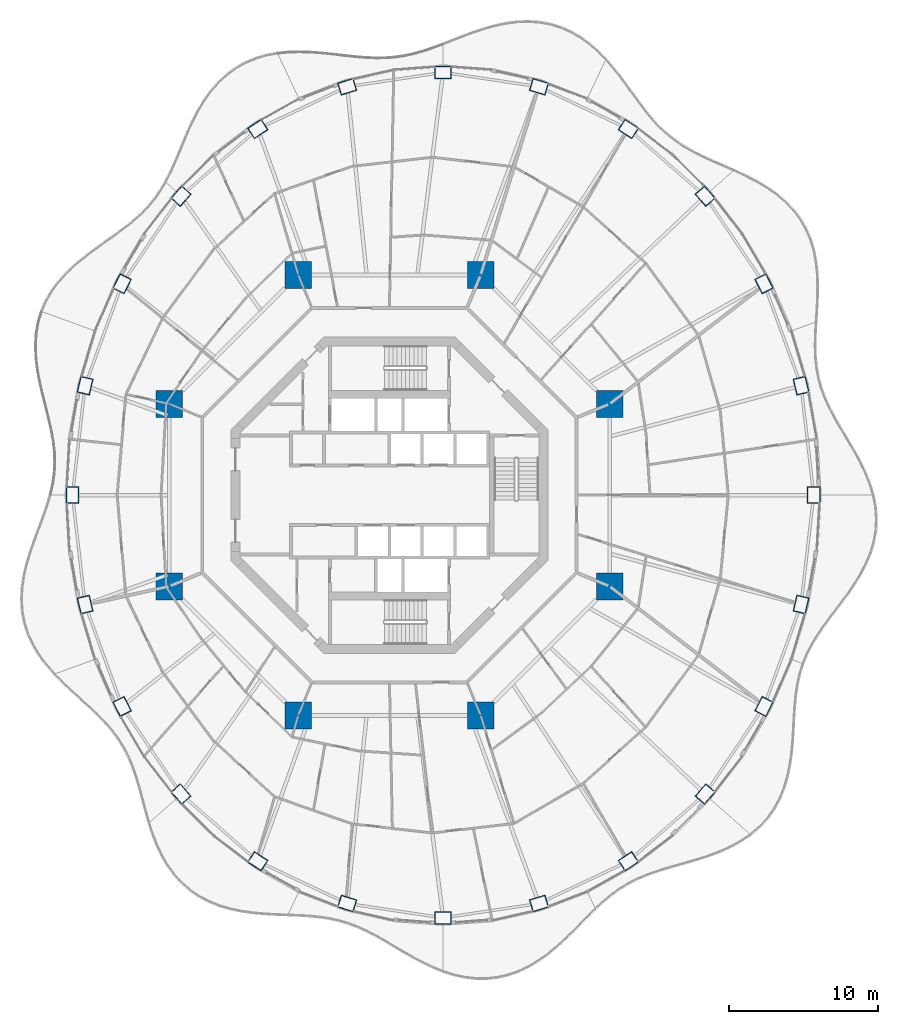
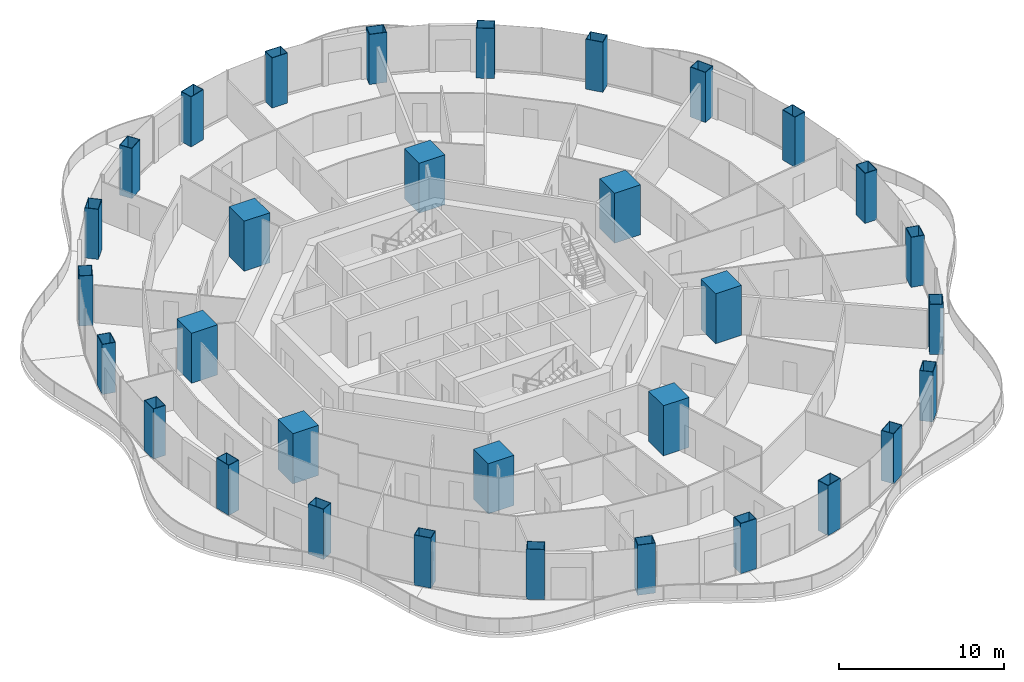
# One storey, part 1 of 19: 32 columns.
"""IFC4 building model written with IfcOpenShell, lengths in metres."""

from ifc_helpers import new_model, si_unit, direction, frame, origin, origin_2d, place, context, subcontext, project, spatial, rectangle, hollow_rectangle, extrude, material, material_profile, profile_set, type_object, element, save


model = new_model("IFC4")

# Units and contexts
model_context = context("Model", 3, precision=1e-05, world=origin(), true_north=direction((0.0, 1.0)))
body_context = subcontext(model_context, "Body", "Model", "MODEL_VIEW")
ifc_project = project(units=[si_unit("LENGTHUNIT", "METRE"), si_unit("AREAUNIT", "SQUARE_METRE"), si_unit("VOLUMEUNIT", "CUBIC_METRE"), si_unit("PLANEANGLEUNIT", "RADIAN"), si_unit("MASSUNIT", "GRAM", prefix="KILO")], contexts=[model_context])

# Site, building, storey
site_placement = place(None, origin())
site = spatial("IfcSite", under=ifc_project, at=site_placement, CompositionType="ELEMENT")
building_placement = place(site_placement, origin())
building = spatial("IfcBuilding", under=site, at=building_placement, Name="Nagisa Residences", CompositionType="ELEMENT")
storey_placement = place(building_placement, frame((0.0, 0.0, 180.699951171875)))
storey = spatial("IfcBuildingStorey", under=building, at=storey_placement, Name="L45", CompositionType="ELEMENT", Elevation=180.699951171875)

# Columns
ifc_material_1 = material(Name="Concrete C80", Category="concrete")
ifc_material_profile_1 = material_profile(ifc_material_1, rectangle(XDim=1.800048828125, YDim=1.800048828125, at=origin_2d()), Name="C80 1800x1800")
ifc_profile_set_1 = profile_set([ifc_material_profile_1], Name="Concrete C80")
column_type_1 = type_object("IfcColumnType", Name="Inner megacolumn C80 1800x1800", PredefinedType="COLUMN", material=ifc_profile_set_1)
for number, where, z_axis, x_axis, name in (
    (1, (14.781982421875, 6.123046875, 0.0), (0.0, 0.0, 1.0), (1.0, 0.0, 0.0), "col:L45:i1"),
    (2, (6.123046875, 14.781982421875, 0.0), (0.0, 0.0, 1.0), (1.0, 0.0, 0.0), "col:L45:i2"),
    (3, (-6.123046875, 14.781982421875, 0.0), (0.0, 0.0, 1.0), (1.0, 0.0, 0.0), "col:L45:i3"),
    (4, (-14.781982421875, 6.123046875, 0.0), (0.0, 0.0, 1.0), (1.0, 0.0, 0.0), "col:L45:i4"),
    (5, (-14.781982421875, -6.123046875, 0.0), (0.0, 0.0, 1.0), (1.0, 0.0, 0.0), "col:L45:i5"),
    (6, (-6.123046875, -14.781982421875, 0.0), (0.0, 0.0, 1.0), (1.0, 0.0, 0.0), "col:L45:i6"),
    (7, (6.123046875, -14.781982421875, 0.0), (0.0, 0.0, 1.0), (1.0, 0.0, 0.0), "col:L45:i7"),
    (8, (14.781982421875, -6.123046875, 0.0), (0.0, 0.0, 1.0), (1.0, 0.0, 0.0), "col:L45:i8"),
):
    element("IfcColumn", number, at=place(storey_placement, frame(where, z_axis=z_axis, x_axis=x_axis)), inside=storey, type_object=column_type_1, Name=name, PredefinedType="COLUMN", context=body_context, shape_type="SweptSolid", body=[
        extrude(rectangle(XDim=1.800048828125, YDim=1.800048828125, at=origin_2d()), origin(), (0.0, 0.0, 1.0), 3.699951171875),
    ])
ifc_material_2 = material(Name="Steel ASTM A572 Gr 50", Category="steel")
ifc_material_profile_2 = material_profile(ifc_material_2, hollow_rectangle(XDim=1.10009765625, YDim=0.85009765625, WallThickness=0.035888671875, at=origin_2d()), Name="BX 1100x850x36")
ifc_profile_set_2 = profile_set([ifc_material_profile_2], Name="Steel ASTM A572 Gr 50")
column_type_2 = type_object("IfcColumnType", Name="Perimeter column BX 1100x850x36", PredefinedType="COLUMN", material=ifc_profile_set_2)
for number, where, z_axis, x_axis, name in (
    (9, (28.47509765625, 0.0, 0.0), (0.0, 0.0, 1.0), (0.0, 1.0, 0.0), "col:L45:p00"),
    (10, (27.62744140625, 7.343994140625, 0.0), (0.0, 0.0, 1.0), (-0.229202013103, 0.973378876486, 0.0), "col:L45:p01"),
    (11, (25.142333984375, 14.1875, 0.0), (0.0, 0.0, 1.0), (-0.452462697578, 0.891783329795, 0.0), "col:L45:p02"),
    (12, (21.189208984375, 20.064208984375, 0.0), (0.0, 0.0, 1.0), (-0.660114607735, 0.751164898445, 0.0), "col:L45:p03"),
    (13, (16.03759765625, 24.573486328125, 0.0), (0.0, 0.0, 1.0), (-0.835766105673, 0.54908561865, 0.0), "col:L45:p04"),
    (14, (10.0380859375, 27.408203125, 0.0), (0.0, 0.0, 1.0), (-0.956524583408, 0.291651712384, 0.0), "col:L45:p05"),
    (15, (3.60009765625, 28.375, 0.0), (0.0, 0.0, 1.0), (-1.0, 0.0, 0.0), "col:L45:p06"),
    (16, (-2.838134765625, 27.408203125, 0.0), (0.0, 0.0, 1.0), (-0.956524583408, -0.291651712384, 0.0), "col:L45:p07"),
    (17, (-8.83740234375, 24.573486328125, 0.0), (0.0, 0.0, 1.0), (-0.835766105673, -0.54908561865, 0.0), "col:L45:p08"),
    (18, (-13.9892578125, 20.064208984375, 0.0), (0.0, 0.0, 1.0), (-0.660114607735, -0.751164898445, 0.0), "col:L45:p09"),
    (19, (-17.9423828125, 14.1875, 0.0), (0.0, 0.0, 1.0), (-0.452462697578, -0.891783329795, 0.0), "col:L45:p10"),
    (20, (-20.427490234375, 7.343994140625, 0.0), (0.0, 0.0, 1.0), (-0.229202013103, -0.973378876486, 0.0), "col:L45:p11"),
    (21, (-21.27490234375, 0.0, 0.0), (0.0, 0.0, 1.0), (0.0, -1.0, 0.0), "col:L45:p12"),
    (22, (-20.427490234375, -7.343994140625, 0.0), (0.0, 0.0, 1.0), (0.229202013103, -0.973378876486, 0.0), "col:L45:p13"),
    (23, (-17.9423828125, -14.1875, 0.0), (0.0, 0.0, 1.0), (0.452462697578, -0.891783329795, 0.0), "col:L45:p14"),
    (24, (-13.9892578125, -20.064208984375, 0.0), (0.0, 0.0, 1.0), (0.660114607735, -0.751164898445, 0.0), "col:L45:p15"),
    (25, (-8.83740234375, -24.573486328125, 0.0), (0.0, 0.0, 1.0), (0.835766105673, -0.54908561865, 0.0), "col:L45:p16"),
    (26, (-2.838134765625, -27.408203125, 0.0), (0.0, 0.0, 1.0), (0.956524583408, -0.291651712384, 0.0), "col:L45:p17"),
    (27, (3.60009765625, -28.375, 0.0), (0.0, 0.0, 1.0), (1.0, 0.0, 0.0), "col:L45:p18"),
    (28, (10.0380859375, -27.408203125, 0.0), (0.0, 0.0, 1.0), (0.956524583408, 0.291651712384, 0.0), "col:L45:p19"),
    (29, (16.03759765625, -24.573486328125, 0.0), (0.0, 0.0, 1.0), (0.835766105673, 0.54908561865, 0.0), "col:L45:p20"),
    (30, (21.189208984375, -20.064208984375, 0.0), (0.0, 0.0, 1.0), (0.660114607735, 0.751164898445, 0.0), "col:L45:p21"),
    (31, (25.142333984375, -14.1875, 0.0), (0.0, 0.0, 1.0), (0.452462697578, 0.891783329795, 0.0), "col:L45:p22"),
    (32, (27.62744140625, -7.343994140625, 0.0), (0.0, 0.0, 1.0), (0.229202013103, 0.973378876486, 0.0), "col:L45:p23"),
):
    element("IfcColumn", number, at=place(storey_placement, frame(where, z_axis=z_axis, x_axis=x_axis)), inside=storey, type_object=column_type_2, Name=name, PredefinedType="COLUMN", context=body_context, shape_type="SweptSolid", body=[
        extrude(hollow_rectangle(XDim=1.10009765625, YDim=0.85009765625, WallThickness=0.035888671875, at=origin_2d()), origin(), (0.0, 0.0, 1.0), 3.699951171875),
    ])

save(model, "model.ifc")
